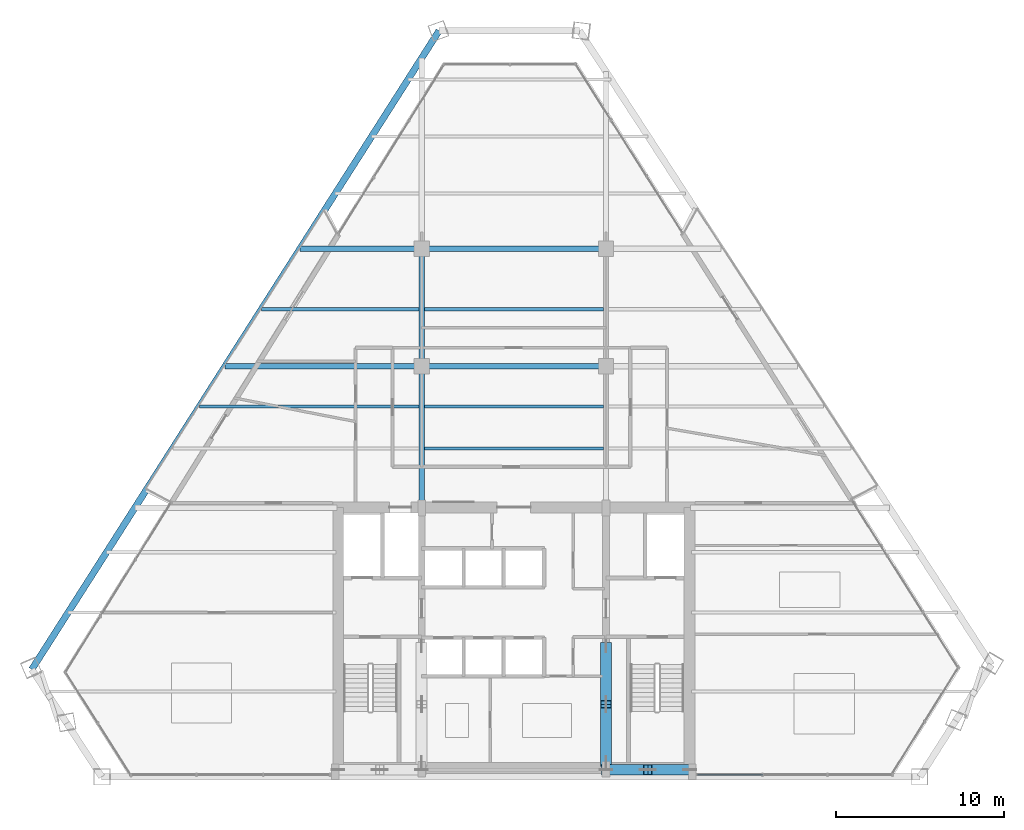
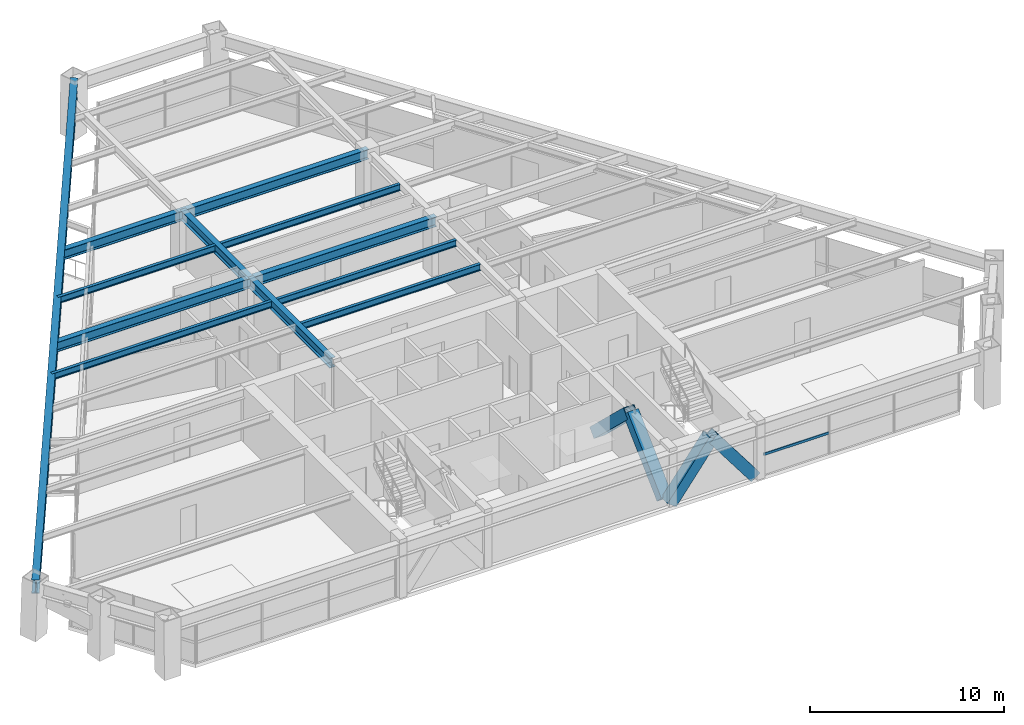
# One storey, part 5 of 15: 12 beams, 5 members, 1 element without a shape of its own.
"""IFC4 building model written with IfcOpenShell, lengths in metres."""

from ifc_helpers import new_model, si_unit, direction, frame, origin, origin_2d, place, context, subcontext, project, spatial, rectangle, hollow_rectangle, i_section, extrude, source, transform, mapped, material, material_profile, profile_set, type_object, type_shapes, element, aggregate, save


model = new_model("IFC4")

# Units and contexts
model_context = context("Model", 3, precision=1e-05, world=origin(), true_north=direction((0.0, 1.0)))
body_context = subcontext(model_context, "Body", "Model", "MODEL_VIEW")
ifc_project = project(units=[si_unit("LENGTHUNIT", "METRE"), si_unit("AREAUNIT", "SQUARE_METRE"), si_unit("VOLUMEUNIT", "CUBIC_METRE"), si_unit("PLANEANGLEUNIT", "RADIAN"), si_unit("MASSUNIT", "GRAM", prefix="KILO")], contexts=[model_context])

# Site, building, storey
site_placement = place(None, origin())
site = spatial("IfcSite", under=ifc_project, at=site_placement, CompositionType="ELEMENT")
building_placement = place(site_placement, origin())
building = spatial("IfcBuilding", under=site, at=building_placement, Name="Varnakhor Terracotta Tower", CompositionType="ELEMENT")
storey_placement = place(building_placement, frame((0.0, 0.0, 182.10009765625)))
storey = spatial("IfcBuildingStorey", under=building, at=storey_placement, Name="L46", CompositionType="ELEMENT", Elevation=182.10009765625)

# Beams
ifc_material_1 = material(Name="Steel S355", Category="steel")
ifc_material_profile_1 = material_profile(ifc_material_1, i_section(OverallWidth=0.324951171875, OverallDepth=0.615966796875, WebThickness=0.013916015625, FlangeThickness=0.02197265625, FilletRadius=0.01806640625, at=origin_2d()), Name="W24X117")
ifc_profile_set_1 = profile_set([ifc_material_profile_1], Name="Steel S355")
beam_type_1 = type_object("IfcBeamType", Name="BM-W24X117", PredefinedType="BEAM", material=ifc_profile_set_1)
shared_shape_1 = source(origin(), body_context, "Body", "SweptSolid", [
    extrude(i_section(OverallWidth=0.324951171875, OverallDepth=0.615966796875, WebThickness=0.013916015625, FlangeThickness=0.02197265625, FilletRadius=0.01806640625, at=origin_2d()), origin(), (0.0, 0.0, 1.0), 8.449951171875),
])
type_shapes(beam_type_1, [shared_shape_1])
beam_1_placement = place(storey_placement, frame((-5.5, 16.050048828125, 3.161865234375), z_axis=(0.0, 1.0, 0.0), x_axis=(-1.0, 0.0, 0.0)))
element("IfcBeam", 1, at=beam_1_placement, inside=storey, type_object=beam_type_1, Name="L46 Primary Girder NS1-W", PredefinedType="BEAM", context=body_context, shape_type="MappedRepresentation", body=[
    mapped(shared_shape_1, transform((0.0, 0.0, 0.0), scale=1.0)),
])
shared_shape_2 = source(origin(), body_context, "Body", "SweptSolid", [
    extrude(i_section(OverallWidth=0.324951171875, OverallDepth=0.615966796875, WebThickness=0.013916015625, FlangeThickness=0.02197265625, FilletRadius=0.01806640625, at=origin_2d()), origin(), (0.0, 0.0, 1.0), 7.0),
])
beam_2_placement = place(storey_placement, frame((-5.5, 24.5, 3.161865234375), z_axis=(0.0, 1.0, 0.0), x_axis=(-1.0, 0.0, 0.0)))
element("IfcBeam", 2, at=beam_2_placement, inside=storey, type_object=beam_type_1, Name="L46 Primary Girder NS2-W", PredefinedType="BEAM", context=body_context, shape_type="MappedRepresentation", body=[
    mapped(shared_shape_2, transform((0.0, 0.0, 0.0), scale=1.0)),
])
shared_shape_3 = source(origin(), body_context, "Body", "SweptSolid", [
    extrude(i_section(OverallWidth=0.324951171875, OverallDepth=0.615966796875, WebThickness=0.013916015625, FlangeThickness=0.02197265625, FilletRadius=0.01806640625, at=origin_2d()), origin(), (0.0, 0.0, 1.0), 11.0),
])
for number, where, z_axis, x_axis, name in (
    (3, (-5.5, 24.5, 3.161865234375), (1.0, 0.0, 0.0), (0.0, 1.0, 0.0), "L46 Primary Girder EW2-2"),
    (4, (-5.5, 31.5, 3.161865234375), (1.0, 0.0, 0.0), (0.0, 1.0, 0.0), "L46 Primary Girder EW3-2"),
):
    element("IfcBeam", number, at=place(storey_placement, frame(where, z_axis=z_axis, x_axis=x_axis)), inside=storey, type_object=beam_type_1, Name=name, PredefinedType="BEAM", context=body_context, shape_type="MappedRepresentation", body=[
        mapped(shared_shape_3, transform((0.0, 0.0, 0.0), scale=1.0)),
    ])
ifc_material_profile_2 = material_profile(ifc_material_1, i_section(OverallWidth=0.179931640625, OverallDepth=0.4130859375, WebThickness=0.009765625, FlangeThickness=0.01611328125, FilletRadius=0.01806640625, at=origin_2d()), Name="W16X50")
ifc_profile_set_2 = profile_set([ifc_material_profile_2], Name="Steel S355")
beam_type_2 = type_object("IfcBeamType", Name="JST-W16X50", PredefinedType="JOIST", material=ifc_profile_set_2)
shared_shape_4 = source(origin(), body_context, "Body", "SweptSolid", [
    extrude(i_section(OverallWidth=0.179931640625, OverallDepth=0.4130859375, WebThickness=0.009765625, FlangeThickness=0.01611328125, FilletRadius=0.01806640625, at=origin_2d()), origin(), (0.0, 0.0, 1.0), 10.68310546875),
])
for number, where, z_axis, x_axis, name in (
    (5, (-5.341552734375, 19.60009765625, 3.263427734375), (1.0, 0.0, 0.0), (0.0, 1.0, 0.0), "L46 Composite Floor Joist 4-2"),
    (6, (-5.341552734375, 22.10009765625, 3.263427734375), (1.0, 0.0, 0.0), (0.0, 1.0, 0.0), "L46 Composite Floor Joist 5-2"),
    (7, (-5.341552734375, 27.89990234375, 3.263427734375), (1.0, 0.0, 0.0), (0.0, 1.0, 0.0), "L46 Composite Floor Joist 6-2"),
):
    element("IfcBeam", number, at=place(storey_placement, frame(where, z_axis=z_axis, x_axis=x_axis)), inside=storey, type_object=beam_type_2, Name=name, PredefinedType="JOIST", context=body_context, shape_type="MappedRepresentation", body=[
        mapped(shared_shape_4, transform((0.0, 0.0, 0.0), scale=1.0)),
    ])

# Members
ifc_material_2 = material(Name="Steel S460", Category="steel")
ifc_material_profile_3 = material_profile(ifc_material_2, hollow_rectangle(XDim=0.64990234375, YDim=0.64990234375, WallThickness=0.0400390625, at=origin_2d()), Name="HSS650X650X40")
ifc_profile_set_3 = profile_set([ifc_material_profile_3], Name="Steel S460")
member_type_1 = type_object("IfcMemberType", Name="MBR-MEGA-650", PredefinedType="BRACE", material=ifc_profile_set_3)
shared_shape_5 = source(origin(), body_context, "Body", "SweptSolid", [
    extrude(hollow_rectangle(XDim=0.64990234375, YDim=0.64990234375, WallThickness=0.0400390625, at=origin_2d()), origin(), (0.0, 0.0, 1.0), 4.15576171875),
])
for number, where, z_axis, x_axis, name in (
    (8, (5.5, 0.419921875, 0.0), (0.601559152872, 0.0, 0.798828257886), (0.0, 1.0, 0.0), "L46 Core Coupled Brace CSEA"),
    (9, (10.5, 0.419921875, 0.0), (-0.601559152872, 0.0, 0.798828257886), (0.0, -1.0, 0.0), "L46 Core Coupled Brace CSEB"),
):
    element("IfcMember", number, at=place(storey_placement, frame(where, z_axis=z_axis, x_axis=x_axis)), inside=storey, type_object=member_type_1, Name=name, PredefinedType="BRACE", context=body_context, shape_type="MappedRepresentation", body=[
        mapped(shared_shape_5, transform((0.0, 0.0, 0.0), scale=1.0)),
    ])
shared_shape_6 = source(origin(), body_context, "Body", "SweptSolid", [
    extrude(hollow_rectangle(XDim=0.64990234375, YDim=0.64990234375, WallThickness=0.0400390625, at=origin_2d()), origin(), (0.0, 0.0, 1.0), 4.805908203125),
])
for number, where, z_axis, x_axis, name in (
    (10, (5.5, 0.85009765625, 0.0), (0.0, 0.72305215055, 0.690793447845), (-1.0, 0.0, 0.0), "L46 Core Coupled Brace CWEA"),
    (11, (5.5, 7.800048828125, 0.0), (0.0, -0.723076391278, 0.690768074231), (1.0, 0.0, 0.0), "L46 Core Coupled Brace CWEB"),
):
    element("IfcMember", number, at=place(storey_placement, frame(where, z_axis=z_axis, x_axis=x_axis)), inside=storey, type_object=member_type_1, Name=name, PredefinedType="BRACE", context=body_context, shape_type="MappedRepresentation", body=[
        mapped(shared_shape_6, transform((0.0, 0.0, 0.0), scale=1.0)),
    ])

# Beams
ifc_material_profile_4 = material_profile(ifc_material_1, i_section(OverallWidth=0.39990234375, OverallDepth=0.85498046875, WebThickness=0.01806640625, FlangeThickness=0.029052734375, FilletRadius=0.01806640625, at=origin_2d()), Name="W33X201")
ifc_profile_set_4 = profile_set([ifc_material_profile_4], Name="Steel S355")
beam_type_3 = type_object("IfcBeamType", Name="BM-W33X201", PredefinedType="BEAM", material=ifc_profile_set_4)
shared_shape_7 = source(origin(), body_context, "Body", "SweptSolid", [
    extrude(i_section(OverallWidth=0.39990234375, OverallDepth=0.85498046875, WebThickness=0.01806640625, FlangeThickness=0.029052734375, FilletRadius=0.01806640625, at=origin_2d()), origin(), (0.0, 0.0, 1.0), 45.200439453125),
])
beam_3_placement = place(storey_placement, frame((-4.457763671875, 44.519775390625, 3.04248046875), z_axis=(-0.537656035839, -0.843164270546, 0.0), x_axis=(0.843164270546, -0.537656035839, 0.0)))
element("IfcBeam", 12, at=beam_3_placement, inside=storey, type_object=beam_type_3, Name="L46 Perimeter Spandrel 6", PredefinedType="BEAM", context=body_context, shape_type="MappedRepresentation", body=[
    mapped(shared_shape_7, transform((0.0, 0.0, 0.0), scale=1.0)),
])
shared_shape_8 = source(origin(), body_context, "Body", "SweptSolid", [
    extrude(i_section(OverallWidth=0.324951171875, OverallDepth=0.615966796875, WebThickness=0.013916015625, FlangeThickness=0.02197265625, FilletRadius=0.01806640625, at=origin_2d()), origin(), (0.0, 0.0, 1.0), 11.7236328125),
])
beam_4_placement = place(storey_placement, frame((-17.2236328125, 24.5, 3.161865234375), z_axis=(1.0, 0.0, 0.0), x_axis=(0.0, 1.0, 0.0)))
element("IfcBeam", 13, at=beam_4_placement, inside=storey, type_object=beam_type_1, Name="L46 Primary Girder EW2-1", PredefinedType="BEAM", context=body_context, shape_type="MappedRepresentation", body=[
    mapped(shared_shape_8, transform((0.0, 0.0, 0.0), scale=1.0)),
])
shared_shape_9 = source(origin(), body_context, "Body", "SweptSolid", [
    extrude(i_section(OverallWidth=0.324951171875, OverallDepth=0.615966796875, WebThickness=0.013916015625, FlangeThickness=0.02197265625, FilletRadius=0.01806640625, at=origin_2d()), origin(), (0.0, 0.0, 1.0), 7.260009765625),
])
beam_5_placement = place(storey_placement, frame((-12.760009765625, 31.5, 3.161865234375), z_axis=(1.0, 0.0, 0.0), x_axis=(0.0, 1.0, 0.0)))
element("IfcBeam", 14, at=beam_5_placement, inside=storey, type_object=beam_type_1, Name="L46 Primary Girder EW3-1", PredefinedType="BEAM", context=body_context, shape_type="MappedRepresentation", body=[
    mapped(shared_shape_9, transform((0.0, 0.0, 0.0), scale=1.0)),
])
shared_shape_10 = source(origin(), body_context, "Body", "SweptSolid", [
    extrude(i_section(OverallWidth=0.179931640625, OverallDepth=0.4130859375, WebThickness=0.009765625, FlangeThickness=0.01611328125, FilletRadius=0.01806640625, at=origin_2d()), origin(), (0.0, 0.0, 1.0), 13.095703125),
])
beam_6_placement = place(storey_placement, frame((-18.754150390625, 22.10009765625, 3.263427734375), z_axis=(1.0, 0.0, 0.0), x_axis=(0.0, 1.0, 0.0)))
element("IfcBeam", 15, at=beam_6_placement, inside=storey, type_object=beam_type_2, Name="L46 Composite Floor Joist 5-1", PredefinedType="JOIST", context=body_context, shape_type="MappedRepresentation", body=[
    mapped(shared_shape_10, transform((0.0, 0.0, 0.0), scale=1.0)),
])
shared_shape_11 = source(origin(), body_context, "Body", "SweptSolid", [
    extrude(i_section(OverallWidth=0.179931640625, OverallDepth=0.4130859375, WebThickness=0.009765625, FlangeThickness=0.01611328125, FilletRadius=0.01806640625, at=origin_2d()), origin(), (0.0, 0.0, 1.0), 9.397216796875),
])
beam_7_placement = place(storey_placement, frame((-15.0556640625, 27.89990234375, 3.263427734375), z_axis=(1.0, 0.0, 0.0), x_axis=(0.0, 1.0, 0.0)))
element("IfcBeam", 16, at=beam_7_placement, inside=storey, type_object=beam_type_2, Name="L46 Composite Floor Joist 6-1", PredefinedType="JOIST", context=body_context, shape_type="MappedRepresentation", body=[
    mapped(shared_shape_11, transform((0.0, 0.0, 0.0), scale=1.0)),
])

# Curtain wall, member
ifc_material_3 = material(Name="Anodised Aluminium Curtain Wall System", Category="aluminium")
curtain_wall_type = type_object("IfcCurtainWallType", Name="CW-SYS-MID-OFFICE", PredefinedType="NOTDEFINED", material=ifc_material_3)
curtain_wall_placement = place(storey_placement, origin())
curtain_wall = element("IfcCurtainWall", 17, at=curtain_wall_placement, inside=storey, type_object=curtain_wall_type, Name="L46 South Wing Curtain Wall SSE", PredefinedType="NOTDEFINED")
ifc_material_4 = material(Name="Anodised Aluminium 6063-T6", Category="aluminium")
ifc_material_profile_5 = material_profile(ifc_material_4, rectangle(XDim=0.070068359375, YDim=0.155029296875, at=origin_2d()), Name="ALU TRANSOM 70x155")
ifc_profile_set_5 = profile_set([ifc_material_profile_5], Name="Anodised Aluminium 6063-T6")
member_type_2 = type_object("IfcMemberType", Name="CWT-03", PredefinedType="USERDEFINED", material=ifc_profile_set_5)
shared_shape_12 = source(origin(), body_context, "Body", "SweptSolid", [
    extrude(rectangle(XDim=0.070068359375, YDim=0.155029296875, at=origin_2d()), origin(), (0.0, 0.0, 1.0), 3.8740234375),
])
member_placement = place(storey_placement, frame((14.843994140625, 0.1201171875, 1.281005859375), z_axis=(-1.0, 0.0, 0.0), x_axis=(0.0, -1.0, 0.0)))
member = element("IfcMember", 18, at=member_placement, type_object=member_type_2, Name="L46 South Wing Curtain Wall SSE Transom 3", ObjectType="TRANSOM", PredefinedType="USERDEFINED", context=body_context, shape_type="MappedRepresentation", body=[
    mapped(shared_shape_12, transform((0.0, 0.0, 0.0), scale=1.0)),
])
aggregate(curtain_wall, [member])

save(model, "model.ifc")
